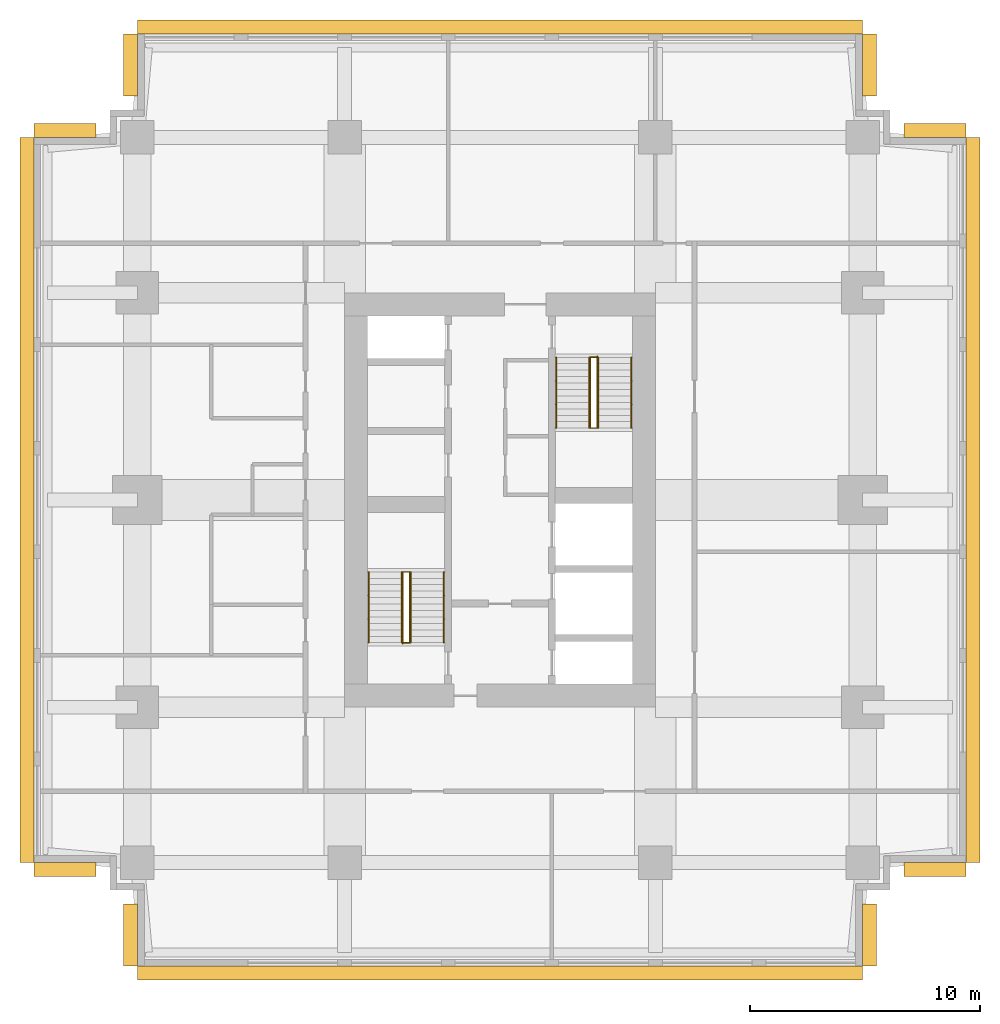
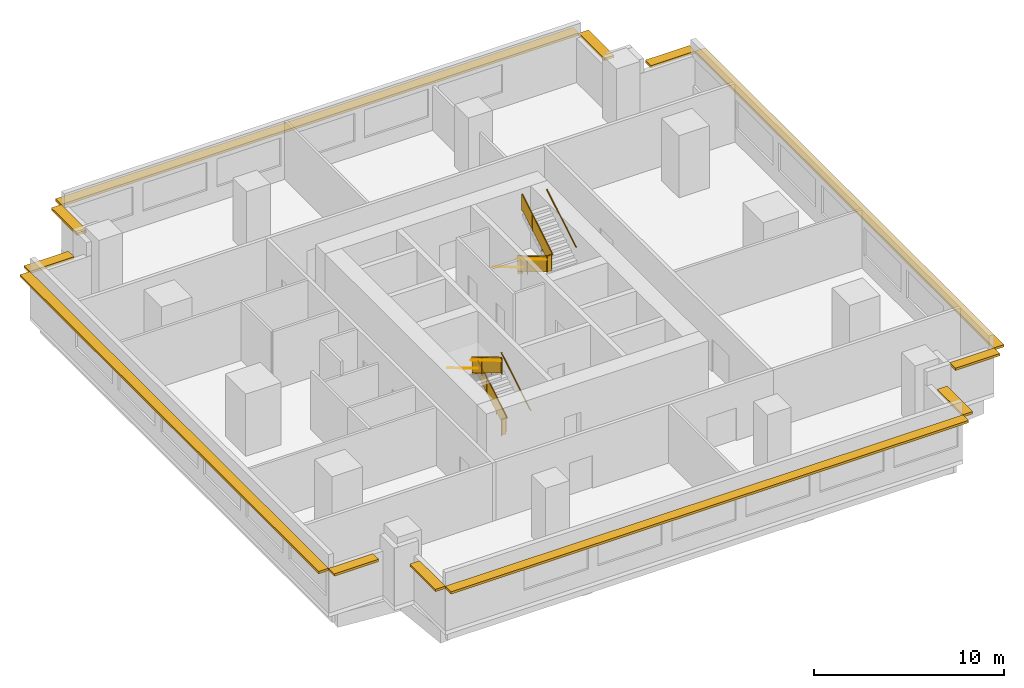
# One storey, part 5 of 5: 12 shading devices, 10 railings.
"""IFC4 building model written with IfcOpenShell, lengths in metres."""

from ifc_helpers import new_model, si_unit, direction, frame, origin, origin_2d, place, context, subcontext, project, spatial, polyline, rectangle, circle, outline, extrude, material, layer, layer_set, type_object, element, save


model = new_model("IFC4")

# Units and contexts
model_context = context("Model", 3, precision=1e-05, world=origin(), true_north=direction((0.0, 1.0)))
body_context = subcontext(model_context, "Body", "Model", "MODEL_VIEW")
ifc_project = project(units=[si_unit("LENGTHUNIT", "METRE"), si_unit("AREAUNIT", "SQUARE_METRE"), si_unit("VOLUMEUNIT", "CUBIC_METRE"), si_unit("PLANEANGLEUNIT", "RADIAN"), si_unit("MASSUNIT", "GRAM", prefix="KILO")], contexts=[model_context])

# Site, building, storey
site_placement = place(None, origin())
site = spatial("IfcSite", under=ifc_project, at=site_placement, CompositionType="ELEMENT")
building_placement = place(site_placement, origin())
building = spatial("IfcBuilding", under=site, at=building_placement, Name="Namib Vertical Campus", CompositionType="ELEMENT")
storey_placement = place(building_placement, frame((0.0, 0.0, 265.0)))
storey = spatial("IfcBuildingStorey", under=building, at=storey_placement, Name="L62", CompositionType="ELEMENT", Elevation=265.0)

# Railings
ifc_material_1 = material(Name="Steel handrail", Category="steel")
railing_type_1 = type_object("IfcRailingType", Name="Handrail 900", PredefinedType="HANDRAIL", material=ifc_material_1)
railing_1_placement = place(storey_placement, frame((17.800048828125, 14.050048828125, 0.166748046875)))
element("IfcRailing", 1, at=railing_1_placement, inside=storey, type_object=railing_type_1, Name="Handrail HR1 A-S1 L62 1", PredefinedType="HANDRAIL", context=body_context, shape_type="SweptSolid", body=[
    extrude(circle(Radius=0.02392578125, at=origin_2d()), frame((0.0, 0.0, 0.8759765625), z_axis=(0.0, 0.859290745958, 0.51148745235), x_axis=(-1.0, 0.0, 0.0)), (0.0, 0.0, 1.0), 3.584228515625),
    extrude(circle(Radius=0.008056640625, at=origin_2d()), frame((0.0, 0.0, 0.8759765625), z_axis=(1.0, 0.0, 0.0), x_axis=(0.0, 0.0, 1.0)), (0.0, 0.0, 1.0), 0.050048828125),
    extrude(circle(Radius=0.008056640625, at=origin_2d()), frame((0.0, 1.026611328125, 1.48681640625), z_axis=(1.0, 0.0, 0.0), x_axis=(0.0, 0.0, 1.0)), (0.0, 0.0, 1.0), 0.050048828125),
    extrude(circle(Radius=0.008056640625, at=origin_2d()), frame((0.0, 2.05322265625, 2.09814453125), z_axis=(1.0, 0.0, 0.0), x_axis=(0.0, 0.0, 1.0)), (0.0, 0.0, 1.0), 0.050048828125),
    extrude(circle(Radius=0.008056640625, at=origin_2d()), frame((0.0, 3.079833984375, 2.708984375), z_axis=(1.0, 0.0, 0.0), x_axis=(0.0, 0.0, 1.0)), (0.0, 0.0, 1.0), 0.050048828125),
])
railing_2_placement = place(storey_placement, frame((14.550048828125, 17.1298828125, 2.166748046875)))
element("IfcRailing", 2, at=railing_2_placement, inside=storey, type_object=railing_type_1, Name="Handrail HR1 A-S1 L62 2", PredefinedType="HANDRAIL", context=body_context, shape_type="SweptSolid", body=[
    extrude(circle(Radius=0.02392578125, at=origin_2d()), frame((0.0, 0.0, 0.8759765625), z_axis=(0.0, -0.859290745958, 0.51148745235), x_axis=(1.0, 0.0, 0.0)), (0.0, 0.0, 1.0), 3.584228515625),
    extrude(circle(Radius=0.008056640625, at=origin_2d()), frame((0.0, 0.0, 0.8759765625), z_axis=(-1.0, 0.0, 0.0), x_axis=(0.0, 0.0, 1.0)), (0.0, 0.0, 1.0), 0.050048828125),
    extrude(circle(Radius=0.008056640625, at=origin_2d()), frame((0.0, -1.026611328125, 1.48681640625), z_axis=(-1.0, 0.0, 0.0), x_axis=(0.0, 0.0, 1.0)), (0.0, 0.0, 1.0), 0.050048828125),
    extrude(circle(Radius=0.008056640625, at=origin_2d()), frame((0.0, -2.05322265625, 2.09814453125), z_axis=(-1.0, 0.0, 0.0), x_axis=(0.0, 0.0, 1.0)), (0.0, 0.0, 1.0), 0.050048828125),
    extrude(circle(Radius=0.008056640625, at=origin_2d()), frame((0.0, -3.079833984375, 2.708984375), z_axis=(-1.0, 0.0, 0.0), x_axis=(0.0, 0.0, 1.0)), (0.0, 0.0, 1.0), 0.050048828125),
])
railing_3_placement = place(storey_placement, frame((16.375, 14.050048828125, 0.166748046875)))
element("IfcRailing", 3, at=railing_3_placement, inside=storey, type_object=railing_type_1, Name="Handrail HR1 A-S1 L62 1 at the well", PredefinedType="HANDRAIL", context=body_context, shape_type="SweptSolid", body=[
    extrude(circle(Radius=0.02392578125, at=origin_2d()), frame((0.0, 0.0, 0.8759765625), z_axis=(0.0, 0.859290745958, 0.51148745235), x_axis=(-1.0, 0.0, 0.0)), (0.0, 0.0, 1.0), 3.584228515625),
    extrude(circle(Radius=0.008056640625, at=origin_2d()), frame((0.0, 0.0, 0.8759765625), z_axis=(-1.0, 0.0, 0.0), x_axis=(0.0, 0.0, 1.0)), (0.0, 0.0, 1.0), 0.0400390625),
    extrude(circle(Radius=0.008056640625, at=origin_2d()), frame((0.0, 1.026611328125, 1.48681640625), z_axis=(-1.0, 0.0, 0.0), x_axis=(0.0, 0.0, 1.0)), (0.0, 0.0, 1.0), 0.0400390625),
    extrude(circle(Radius=0.008056640625, at=origin_2d()), frame((0.0, 2.05322265625, 2.09814453125), z_axis=(-1.0, 0.0, 0.0), x_axis=(0.0, 0.0, 1.0)), (0.0, 0.0, 1.0), 0.0400390625),
    extrude(circle(Radius=0.008056640625, at=origin_2d()), frame((0.0, 3.079833984375, 2.708984375), z_axis=(-1.0, 0.0, 0.0), x_axis=(0.0, 0.0, 1.0)), (0.0, 0.0, 1.0), 0.0400390625),
])
railing_4_placement = place(storey_placement, frame((15.97509765625, 17.1298828125, 2.166748046875)))
element("IfcRailing", 4, at=railing_4_placement, inside=storey, type_object=railing_type_1, Name="Handrail HR1 A-S1 L62 2 at the well", PredefinedType="HANDRAIL", context=body_context, shape_type="SweptSolid", body=[
    extrude(circle(Radius=0.02392578125, at=origin_2d()), frame((0.0, 0.0, 0.8759765625), z_axis=(0.0, -0.859290745958, 0.51148745235), x_axis=(1.0, 0.0, 0.0)), (0.0, 0.0, 1.0), 3.584228515625),
    extrude(circle(Radius=0.008056640625, at=origin_2d()), frame((0.0, 0.0, 0.8759765625), z_axis=(1.0, 0.0, 0.0), x_axis=(0.0, 0.0, 1.0)), (0.0, 0.0, 1.0), 0.0400390625),
    extrude(circle(Radius=0.008056640625, at=origin_2d()), frame((0.0, -1.026611328125, 1.48681640625), z_axis=(1.0, 0.0, 0.0), x_axis=(0.0, 0.0, 1.0)), (0.0, 0.0, 1.0), 0.0400390625),
    extrude(circle(Radius=0.008056640625, at=origin_2d()), frame((0.0, -2.05322265625, 2.09814453125), z_axis=(1.0, 0.0, 0.0), x_axis=(0.0, 0.0, 1.0)), (0.0, 0.0, 1.0), 0.0400390625),
    extrude(circle(Radius=0.008056640625, at=origin_2d()), frame((0.0, -3.079833984375, 2.708984375), z_axis=(1.0, 0.0, 0.0), x_axis=(0.0, 0.0, 1.0)), (0.0, 0.0, 1.0), 0.0400390625),
])
railing_5_placement = place(storey_placement, frame((22.699951171875, 26.449951171875, 0.166748046875)))
element("IfcRailing", 5, at=railing_5_placement, inside=storey, type_object=railing_type_1, Name="Handrail HR1 A-S2 L62 1", PredefinedType="HANDRAIL", context=body_context, shape_type="SweptSolid", body=[
    extrude(circle(Radius=0.02392578125, at=origin_2d()), frame((0.0, 0.0, 0.8759765625), z_axis=(0.0, -0.859290745958, 0.51148745235), x_axis=(1.0, 0.0, 0.0)), (0.0, 0.0, 1.0), 3.584228515625),
    extrude(circle(Radius=0.008056640625, at=origin_2d()), frame((0.0, 0.0, 0.8759765625), z_axis=(-1.0, 0.0, 0.0), x_axis=(0.0, 0.0, 1.0)), (0.0, 0.0, 1.0), 0.050048828125),
    extrude(circle(Radius=0.008056640625, at=origin_2d()), frame((0.0, -1.026611328125, 1.48681640625), z_axis=(-1.0, 0.0, 0.0), x_axis=(0.0, 0.0, 1.0)), (0.0, 0.0, 1.0), 0.050048828125),
    extrude(circle(Radius=0.008056640625, at=origin_2d()), frame((0.0, -2.05322265625, 2.09814453125), z_axis=(-1.0, 0.0, 0.0), x_axis=(0.0, 0.0, 1.0)), (0.0, 0.0, 1.0), 0.050048828125),
    extrude(circle(Radius=0.008056640625, at=origin_2d()), frame((0.0, -3.079833984375, 2.708984375), z_axis=(-1.0, 0.0, 0.0), x_axis=(0.0, 0.0, 1.0)), (0.0, 0.0, 1.0), 0.050048828125),
])
railing_6_placement = place(storey_placement, frame((25.949951171875, 23.3701171875, 2.166748046875)))
element("IfcRailing", 6, at=railing_6_placement, inside=storey, type_object=railing_type_1, Name="Handrail HR1 A-S2 L62 2", PredefinedType="HANDRAIL", context=body_context, shape_type="SweptSolid", body=[
    extrude(circle(Radius=0.02392578125, at=origin_2d()), frame((0.0, 0.0, 0.8759765625), z_axis=(0.0, 0.859290745958, 0.51148745235), x_axis=(-1.0, 0.0, 0.0)), (0.0, 0.0, 1.0), 3.584228515625),
    extrude(circle(Radius=0.008056640625, at=origin_2d()), frame((0.0, 0.0, 0.8759765625), z_axis=(1.0, 0.0, 0.0), x_axis=(0.0, 0.0, 1.0)), (0.0, 0.0, 1.0), 0.050048828125),
    extrude(circle(Radius=0.008056640625, at=origin_2d()), frame((0.0, 1.026611328125, 1.48681640625), z_axis=(1.0, 0.0, 0.0), x_axis=(0.0, 0.0, 1.0)), (0.0, 0.0, 1.0), 0.050048828125),
    extrude(circle(Radius=0.008056640625, at=origin_2d()), frame((0.0, 2.05322265625, 2.09814453125), z_axis=(1.0, 0.0, 0.0), x_axis=(0.0, 0.0, 1.0)), (0.0, 0.0, 1.0), 0.050048828125),
    extrude(circle(Radius=0.008056640625, at=origin_2d()), frame((0.0, 3.079833984375, 2.708984375), z_axis=(1.0, 0.0, 0.0), x_axis=(0.0, 0.0, 1.0)), (0.0, 0.0, 1.0), 0.050048828125),
])
railing_7_placement = place(storey_placement, frame((24.125, 26.449951171875, 0.166748046875)))
element("IfcRailing", 7, at=railing_7_placement, inside=storey, type_object=railing_type_1, Name="Handrail HR1 A-S2 L62 1 at the well", PredefinedType="HANDRAIL", context=body_context, shape_type="SweptSolid", body=[
    extrude(circle(Radius=0.02392578125, at=origin_2d()), frame((0.0, 0.0, 0.8759765625), z_axis=(0.0, -0.859290745958, 0.51148745235), x_axis=(1.0, 0.0, 0.0)), (0.0, 0.0, 1.0), 3.584228515625),
    extrude(circle(Radius=0.008056640625, at=origin_2d()), frame((0.0, 0.0, 0.8759765625), z_axis=(1.0, 0.0, 0.0), x_axis=(0.0, 0.0, 1.0)), (0.0, 0.0, 1.0), 0.0400390625),
    extrude(circle(Radius=0.008056640625, at=origin_2d()), frame((0.0, -1.026611328125, 1.48681640625), z_axis=(1.0, 0.0, 0.0), x_axis=(0.0, 0.0, 1.0)), (0.0, 0.0, 1.0), 0.0400390625),
    extrude(circle(Radius=0.008056640625, at=origin_2d()), frame((0.0, -2.05322265625, 2.09814453125), z_axis=(1.0, 0.0, 0.0), x_axis=(0.0, 0.0, 1.0)), (0.0, 0.0, 1.0), 0.0400390625),
    extrude(circle(Radius=0.008056640625, at=origin_2d()), frame((0.0, -3.079833984375, 2.708984375), z_axis=(1.0, 0.0, 0.0), x_axis=(0.0, 0.0, 1.0)), (0.0, 0.0, 1.0), 0.0400390625),
])
railing_8_placement = place(storey_placement, frame((24.52490234375, 23.3701171875, 2.166748046875)))
element("IfcRailing", 8, at=railing_8_placement, inside=storey, type_object=railing_type_1, Name="Handrail HR1 A-S2 L62 2 at the well", PredefinedType="HANDRAIL", context=body_context, shape_type="SweptSolid", body=[
    extrude(circle(Radius=0.02392578125, at=origin_2d()), frame((0.0, 0.0, 0.8759765625), z_axis=(0.0, 0.859290745958, 0.51148745235), x_axis=(-1.0, 0.0, 0.0)), (0.0, 0.0, 1.0), 3.584228515625),
    extrude(circle(Radius=0.008056640625, at=origin_2d()), frame((0.0, 0.0, 0.8759765625), z_axis=(-1.0, 0.0, 0.0), x_axis=(0.0, 0.0, 1.0)), (0.0, 0.0, 1.0), 0.0400390625),
    extrude(circle(Radius=0.008056640625, at=origin_2d()), frame((0.0, 1.026611328125, 1.48681640625), z_axis=(-1.0, 0.0, 0.0), x_axis=(0.0, 0.0, 1.0)), (0.0, 0.0, 1.0), 0.0400390625),
    extrude(circle(Radius=0.008056640625, at=origin_2d()), frame((0.0, 2.05322265625, 2.09814453125), z_axis=(-1.0, 0.0, 0.0), x_axis=(0.0, 0.0, 1.0)), (0.0, 0.0, 1.0), 0.0400390625),
    extrude(circle(Radius=0.008056640625, at=origin_2d()), frame((0.0, 3.079833984375, 2.708984375), z_axis=(-1.0, 0.0, 0.0), x_axis=(0.0, 0.0, 1.0)), (0.0, 0.0, 1.0), 0.0400390625),
])
ifc_material_2 = material(Name="Steel balustrade", Category="steel")
railing_type_2 = type_object("IfcRailingType", Name="Stair guard 1100", PredefinedType="GUARDRAIL", material=ifc_material_2)
railing_9_placement = place(storey_placement, frame((16.02490234375, 14.050048828125, 0.0)))
element("IfcRailing", 9, at=railing_9_placement, inside=storey, type_object=railing_type_2, Name="Stair guard GR1 A-S1 L62", PredefinedType="GUARDRAIL", context=body_context, shape_type="SweptSolid", body=[
    extrude(circle(Radius=0.02392578125, at=origin_2d()), frame((0.0, 0.0, 1.076171875), z_axis=(1.0, 0.0, 0.0), x_axis=(0.0, 1.0, 0.0)), (0.0, 0.0, 1.0), 0.300048828125),
    extrude(outline(polyline([(0.02099609375, 0.050048828125), (0.279052734375, 0.050048828125), (0.279052734375, 1.052001953125), (0.02099609375, 1.052001953125), (0.02099609375, 0.050048828125)])), frame((0.0, 0.010009765625, 0.0), z_axis=(0.0, -1.0, 0.0), x_axis=(1.0, 0.0, 0.0)), (0.0, 0.0, 1.0), 0.02001953125),
    extrude(circle(Radius=0.02392578125, at=origin_2d()), frame((0.300048828125, 0.0, 1.076171875), z_axis=(0.0, 0.0, 1.0), x_axis=(1.0, 0.0, 0.0)), (0.0, 0.0, 1.0), 0.166748046875),
    extrude(circle(Radius=0.02392578125, at=origin_2d()), frame((0.300048828125, 0.0, 1.24267578125), z_axis=(0.0, 0.859290745958, 0.51148745235), x_axis=(-1.0, 0.0, 0.0)), (0.0, 0.0, 1.0), 3.584228515625),
    extrude(outline(polyline([(0.02099609375, 0.0625), (3.058837890625, 1.870849609375), (3.058837890625, 2.872802734375), (0.02099609375, 1.064453125), (0.02099609375, 0.0625)])), frame((0.2900390625, 0.0, 0.166748046875), z_axis=(1.0, 0.0, 0.0), x_axis=(0.0, 1.0, 0.0)), (0.0, 0.0, 1.0), 0.02001953125),
    extrude(circle(Radius=0.02392578125, at=origin_2d()), frame((0.300048828125, 3.079833984375, 3.076171875), z_axis=(-1.0, 0.0, 0.0), x_axis=(0.0, -1.0, 0.0)), (0.0, 0.0, 1.0), 0.300048828125),
    extrude(outline(polyline([(0.02099609375, 0.050048828125), (0.279052734375, 0.050048828125), (0.279052734375, 1.052001953125), (0.02099609375, 1.052001953125), (0.02099609375, 0.050048828125)])), frame((0.300048828125, 3.06982421875, 2.0), z_axis=(0.0, 1.0, 0.0), x_axis=(-1.0, 0.0, 0.0)), (0.0, 0.0, 1.0), 0.02001953125),
    extrude(circle(Radius=0.02392578125, at=origin_2d()), frame((0.0, 3.079833984375, 3.076171875), z_axis=(0.0, 0.0, 1.0), x_axis=(1.0, 0.0, 0.0)), (0.0, 0.0, 1.0), 0.166748046875),
    extrude(circle(Radius=0.02392578125, at=origin_2d()), frame((0.0, 3.079833984375, 3.24267578125), z_axis=(0.0, -0.859290745958, 0.51148745235), x_axis=(1.0, 0.0, 0.0)), (0.0, 0.0, 1.0), 3.584228515625),
    extrude(outline(polyline([(0.02099609375, 0.0625), (3.058837890625, 1.870849609375), (3.058837890625, 2.872802734375), (0.02099609375, 1.064453125), (0.02099609375, 0.0625)])), frame((0.010009765625, 3.079833984375, 2.166748046875), z_axis=(-1.0, 0.0, 0.0), x_axis=(0.0, -1.0, 0.0)), (0.0, 0.0, 1.0), 0.02001953125),
    extrude(circle(Radius=0.02392578125, at=origin_2d()), frame((0.0, 0.0, 5.076171875), z_axis=(0.0, -1.0, 0.0), x_axis=(1.0, 0.0, 0.0)), (0.0, 0.0, 1.0), 0.050048828125),
    extrude(outline(polyline([(0.02099609375, 0.050048828125), (0.029052734375, 0.050048828125), (0.029052734375, 1.052001953125), (0.02099609375, 1.052001953125), (0.02099609375, 0.050048828125)])), frame((0.010009765625, 0.0, 4.0), z_axis=(-1.0, 0.0, 0.0), x_axis=(0.0, -1.0, 0.0)), (0.0, 0.0, 1.0), 0.02001953125),
    extrude(circle(Radius=0.02099609375, at=origin_2d()), origin(), (0.0, 0.0, 1.0), 1.052001953125),
    extrude(circle(Radius=0.02099609375, at=origin_2d()), frame((0.300048828125, 0.0, 0.166748046875)), (0.0, 0.0, 1.0), 1.052001953125),
    extrude(circle(Radius=0.02099609375, at=origin_2d()), frame((0.300048828125, 1.026611328125, 0.666748046875)), (0.0, 0.0, 1.0), 1.1630859375),
    extrude(circle(Radius=0.02099609375, at=origin_2d()), frame((0.300048828125, 2.05322265625, 1.33349609375)), (0.0, 0.0, 1.0), 1.107421875),
    extrude(circle(Radius=0.02099609375, at=origin_2d()), frame((0.300048828125, 3.079833984375, 2.0)), (0.0, 0.0, 1.0), 1.052001953125),
    extrude(circle(Radius=0.02099609375, at=origin_2d()), frame((0.0, 3.079833984375, 2.166748046875)), (0.0, 0.0, 1.0), 1.052001953125),
    extrude(circle(Radius=0.02099609375, at=origin_2d()), frame((0.0, 2.05322265625, 2.666748046875)), (0.0, 0.0, 1.0), 1.1630859375),
    extrude(circle(Radius=0.02099609375, at=origin_2d()), frame((0.0, 1.026611328125, 3.33349609375)), (0.0, 0.0, 1.0), 1.107421875),
    extrude(circle(Radius=0.02099609375, at=origin_2d()), frame((0.0, 0.0, 4.0)), (0.0, 0.0, 1.0), 1.052001953125),
    extrude(circle(Radius=0.02099609375, at=origin_2d()), frame((0.0, -0.050048828125, 4.0)), (0.0, 0.0, 1.0), 1.052001953125),
])
railing_10_placement = place(storey_placement, frame((24.47509765625, 26.449951171875, 0.0)))
element("IfcRailing", 10, at=railing_10_placement, inside=storey, type_object=railing_type_2, Name="Stair guard GR1 A-S2 L62", PredefinedType="GUARDRAIL", context=body_context, shape_type="SweptSolid", body=[
    extrude(circle(Radius=0.02392578125, at=origin_2d()), frame((0.0, 0.0, 1.076171875), z_axis=(-1.0, 0.0, 0.0), x_axis=(0.0, -1.0, 0.0)), (0.0, 0.0, 1.0), 0.300048828125),
    extrude(outline(polyline([(0.02099609375, 0.050048828125), (0.279052734375, 0.050048828125), (0.279052734375, 1.052001953125), (0.02099609375, 1.052001953125), (0.02099609375, 0.050048828125)])), frame((0.0, -0.010009765625, 0.0), z_axis=(0.0, 1.0, 0.0), x_axis=(-1.0, 0.0, 0.0)), (0.0, 0.0, 1.0), 0.02001953125),
    extrude(circle(Radius=0.02392578125, at=origin_2d()), frame((-0.300048828125, 0.0, 1.076171875), z_axis=(0.0, 0.0, 1.0), x_axis=(1.0, 0.0, 0.0)), (0.0, 0.0, 1.0), 0.166748046875),
    extrude(circle(Radius=0.02392578125, at=origin_2d()), frame((-0.300048828125, 0.0, 1.24267578125), z_axis=(0.0, -0.859290745958, 0.51148745235), x_axis=(1.0, 0.0, 0.0)), (0.0, 0.0, 1.0), 3.584228515625),
    extrude(outline(polyline([(0.02099609375, 0.0625), (3.058837890625, 1.870849609375), (3.058837890625, 2.872802734375), (0.02099609375, 1.064453125), (0.02099609375, 0.0625)])), frame((-0.2900390625, 0.0, 0.166748046875), z_axis=(-1.0, 0.0, 0.0), x_axis=(0.0, -1.0, 0.0)), (0.0, 0.0, 1.0), 0.02001953125),
    extrude(circle(Radius=0.02392578125, at=origin_2d()), frame((-0.300048828125, -3.079833984375, 3.076171875), z_axis=(1.0, 0.0, 0.0), x_axis=(0.0, 1.0, 0.0)), (0.0, 0.0, 1.0), 0.300048828125),
    extrude(outline(polyline([(0.02099609375, 0.050048828125), (0.279052734375, 0.050048828125), (0.279052734375, 1.052001953125), (0.02099609375, 1.052001953125), (0.02099609375, 0.050048828125)])), frame((-0.300048828125, -3.06982421875, 2.0), z_axis=(0.0, -1.0, 0.0), x_axis=(1.0, 0.0, 0.0)), (0.0, 0.0, 1.0), 0.02001953125),
    extrude(circle(Radius=0.02392578125, at=origin_2d()), frame((0.0, -3.079833984375, 3.076171875), z_axis=(0.0, 0.0, 1.0), x_axis=(1.0, 0.0, 0.0)), (0.0, 0.0, 1.0), 0.166748046875),
    extrude(circle(Radius=0.02392578125, at=origin_2d()), frame((0.0, -3.079833984375, 3.24267578125), z_axis=(0.0, 0.859290745958, 0.51148745235), x_axis=(-1.0, 0.0, 0.0)), (0.0, 0.0, 1.0), 3.584228515625),
    extrude(outline(polyline([(0.02099609375, 0.0625), (3.058837890625, 1.870849609375), (3.058837890625, 2.872802734375), (0.02099609375, 1.064453125), (0.02099609375, 0.0625)])), frame((-0.010009765625, -3.079833984375, 2.166748046875), z_axis=(1.0, 0.0, 0.0), x_axis=(0.0, 1.0, 0.0)), (0.0, 0.0, 1.0), 0.02001953125),
    extrude(circle(Radius=0.02392578125, at=origin_2d()), frame((0.0, 0.0, 5.076171875), z_axis=(0.0, 1.0, 0.0), x_axis=(-1.0, 0.0, 0.0)), (0.0, 0.0, 1.0), 0.050048828125),
    extrude(outline(polyline([(0.02099609375, 0.050048828125), (0.029052734375, 0.050048828125), (0.029052734375, 1.052001953125), (0.02099609375, 1.052001953125), (0.02099609375, 0.050048828125)])), frame((-0.010009765625, 0.0, 4.0), z_axis=(1.0, 0.0, 0.0), x_axis=(0.0, 1.0, 0.0)), (0.0, 0.0, 1.0), 0.02001953125),
    extrude(circle(Radius=0.02099609375, at=origin_2d()), origin(), (0.0, 0.0, 1.0), 1.052001953125),
    extrude(circle(Radius=0.02099609375, at=origin_2d()), frame((-0.300048828125, 0.0, 0.166748046875)), (0.0, 0.0, 1.0), 1.052001953125),
    extrude(circle(Radius=0.02099609375, at=origin_2d()), frame((-0.300048828125, -1.026611328125, 0.666748046875)), (0.0, 0.0, 1.0), 1.1630859375),
    extrude(circle(Radius=0.02099609375, at=origin_2d()), frame((-0.300048828125, -2.05322265625, 1.33349609375)), (0.0, 0.0, 1.0), 1.107421875),
    extrude(circle(Radius=0.02099609375, at=origin_2d()), frame((-0.300048828125, -3.079833984375, 2.0)), (0.0, 0.0, 1.0), 1.052001953125),
    extrude(circle(Radius=0.02099609375, at=origin_2d()), frame((0.0, -3.079833984375, 2.166748046875)), (0.0, 0.0, 1.0), 1.052001953125),
    extrude(circle(Radius=0.02099609375, at=origin_2d()), frame((0.0, -2.05322265625, 2.666748046875)), (0.0, 0.0, 1.0), 1.1630859375),
    extrude(circle(Radius=0.02099609375, at=origin_2d()), frame((0.0, -1.026611328125, 3.33349609375)), (0.0, 0.0, 1.0), 1.107421875),
    extrude(circle(Radius=0.02099609375, at=origin_2d()), frame((0.0, 0.0, 4.0)), (0.0, 0.0, 1.0), 1.052001953125),
    extrude(circle(Radius=0.02099609375, at=origin_2d()), frame((0.0, 0.050048828125, 4.0)), (0.0, 0.0, 1.0), 1.052001953125),
])

# Shading devices
ifc_material_3 = material(Name="Concrete C40/50 precast", Category="concrete")
ifc_layer = layer(ifc_material_3, 0.14990234375)
ifc_layer_set = layer_set([ifc_layer], Name="Concrete C40/50 precast")
shading_device_type = type_object("IfcShadingDeviceType", Name="Sunshade hood 600", PredefinedType="SHUTTER", material=ifc_layer_set)
shading_device_1_placement = place(storey_placement, frame((20.25, -0.300048828125, 2.75), z_axis=(0.0, 0.0, 1.0), x_axis=(1.0, 0.0, 0.0)))
element("IfcShadingDevice", 11, at=shading_device_1_placement, inside=storey, type_object=shading_device_type, Name="Sunshade SH3 L62 1", PredefinedType="SHUTTER", context=body_context, shape_type="SweptSolid", body=[
    extrude(rectangle(XDim=31.5, YDim=0.60009765625, at=origin_2d()), origin(), (0.0, 0.0, 1.0), 0.14990234375),
])
for number, where, z_axis, x_axis, name in (
    (12, (36.300048828125, 1.35009765625, 2.75), (0.0, 0.0, 1.0), (0.0, 1.0, 0.0), "Sunshade SH3 L62 2"),
    (13, (39.14990234375, 4.199951171875, 2.75), (0.0, 0.0, 1.0), (1.0, 0.0, 0.0), "Sunshade SH3 L62 5"),
):
    element("IfcShadingDevice", number, at=place(storey_placement, frame(where, z_axis=z_axis, x_axis=x_axis)), inside=storey, type_object=shading_device_type, Name=name, PredefinedType="SHUTTER", context=body_context, shape_type="SweptSolid", body=[
        extrude(rectangle(XDim=2.699951171875, YDim=0.60009765625, at=origin_2d()), origin(), (0.0, 0.0, 1.0), 0.14990234375),
    ])
shading_device_2_placement = place(storey_placement, frame((40.800048828125, 20.25, 2.75), z_axis=(0.0, 0.0, 1.0), x_axis=(0.0, 1.0, 0.0)))
element("IfcShadingDevice", 14, at=shading_device_2_placement, inside=storey, type_object=shading_device_type, Name="Sunshade SH3 L62 6", PredefinedType="SHUTTER", context=body_context, shape_type="SweptSolid", body=[
    extrude(rectangle(XDim=31.5, YDim=0.60009765625, at=origin_2d()), origin(), (0.0, 0.0, 1.0), 0.14990234375),
])
for number, where, z_axis, x_axis, name in (
    (15, (39.14990234375, 36.300048828125, 2.75), (0.0, 0.0, 1.0), (-1.0, 0.0, 0.0), "Sunshade SH3 L62 7"),
    (16, (36.300048828125, 39.14990234375, 2.75), (0.0, 0.0, 1.0), (0.0, 1.0, 0.0), "Sunshade SH3 L62 10"),
):
    element("IfcShadingDevice", number, at=place(storey_placement, frame(where, z_axis=z_axis, x_axis=x_axis)), inside=storey, type_object=shading_device_type, Name=name, PredefinedType="SHUTTER", context=body_context, shape_type="SweptSolid", body=[
        extrude(rectangle(XDim=2.699951171875, YDim=0.60009765625, at=origin_2d()), origin(), (0.0, 0.0, 1.0), 0.14990234375),
    ])
shading_device_3_placement = place(storey_placement, frame((20.25, 40.800048828125, 2.75), z_axis=(0.0, 0.0, 1.0), x_axis=(-1.0, 0.0, 0.0)))
element("IfcShadingDevice", 17, at=shading_device_3_placement, inside=storey, type_object=shading_device_type, Name="Sunshade SH3 L62 11", PredefinedType="SHUTTER", context=body_context, shape_type="SweptSolid", body=[
    extrude(rectangle(XDim=31.5, YDim=0.60009765625, at=origin_2d()), origin(), (0.0, 0.0, 1.0), 0.14990234375),
])
for number, where, z_axis, x_axis, name in (
    (18, (4.199951171875, 39.14990234375, 2.75), (0.0, 0.0, 1.0), (0.0, -1.0, 0.0), "Sunshade SH3 L62 12"),
    (19, (1.35009765625, 36.300048828125, 2.75), (0.0, 0.0, 1.0), (-1.0, 0.0, 0.0), "Sunshade SH3 L62 15"),
):
    element("IfcShadingDevice", number, at=place(storey_placement, frame(where, z_axis=z_axis, x_axis=x_axis)), inside=storey, type_object=shading_device_type, Name=name, PredefinedType="SHUTTER", context=body_context, shape_type="SweptSolid", body=[
        extrude(rectangle(XDim=2.699951171875, YDim=0.60009765625, at=origin_2d()), origin(), (0.0, 0.0, 1.0), 0.14990234375),
    ])
shading_device_4_placement = place(storey_placement, frame((-0.300048828125, 20.25, 2.75), z_axis=(0.0, 0.0, 1.0), x_axis=(0.0, -1.0, 0.0)))
element("IfcShadingDevice", 20, at=shading_device_4_placement, inside=storey, type_object=shading_device_type, Name="Sunshade SH3 L62 16", PredefinedType="SHUTTER", context=body_context, shape_type="SweptSolid", body=[
    extrude(rectangle(XDim=31.5, YDim=0.60009765625, at=origin_2d()), origin(), (0.0, 0.0, 1.0), 0.14990234375),
])
for number, where, z_axis, x_axis, name in (
    (21, (1.35009765625, 4.199951171875, 2.75), (0.0, 0.0, 1.0), (1.0, 0.0, 0.0), "Sunshade SH3 L62 17"),
    (22, (4.199951171875, 1.35009765625, 2.75), (0.0, 0.0, 1.0), (0.0, -1.0, 0.0), "Sunshade SH3 L62 20"),
):
    element("IfcShadingDevice", number, at=place(storey_placement, frame(where, z_axis=z_axis, x_axis=x_axis)), inside=storey, type_object=shading_device_type, Name=name, PredefinedType="SHUTTER", context=body_context, shape_type="SweptSolid", body=[
        extrude(rectangle(XDim=2.699951171875, YDim=0.60009765625, at=origin_2d()), origin(), (0.0, 0.0, 1.0), 0.14990234375),
    ])

save(model, "model.ifc")
